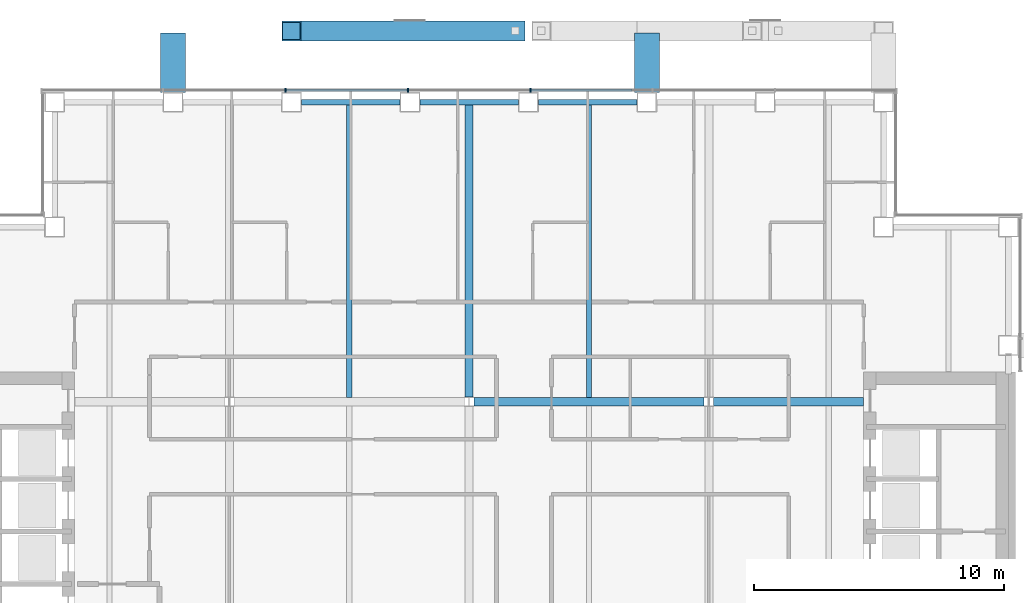
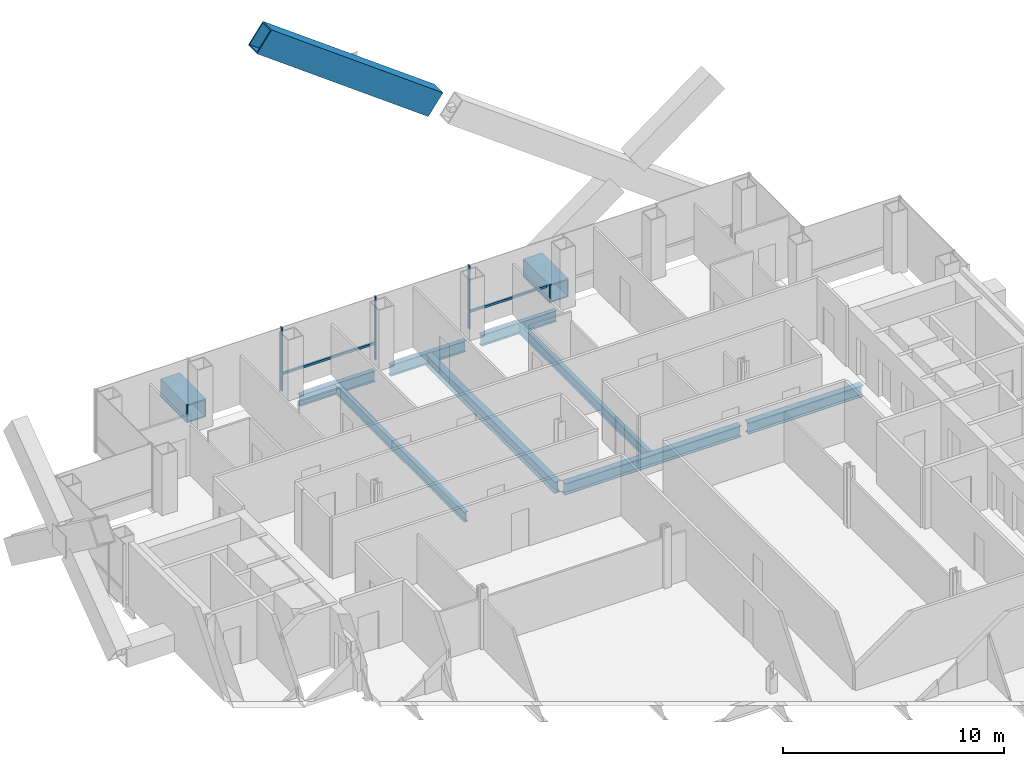
# One storey, part 9 of 18: 10 beams, 6 members, 1 element without a shape of its own.
"""IFC4 building model written with IfcOpenShell, lengths in metres."""

from ifc_helpers import new_model, si_unit, direction, frame, origin, origin_2d, place, context, subcontext, project, spatial, rectangle, hollow_rectangle, i_section, extrude, material, material_profile, profile_set, type_object, element, aggregate, save


model = new_model("IFC4")

# Units and contexts
model_context = context("Model", 3, precision=1e-05, world=origin(), true_north=direction((0.0, 1.0)))
body_context = subcontext(model_context, "Body", "Model", "MODEL_VIEW")
ifc_project = project(units=[si_unit("LENGTHUNIT", "METRE"), si_unit("AREAUNIT", "SQUARE_METRE"), si_unit("VOLUMEUNIT", "CUBIC_METRE"), si_unit("PLANEANGLEUNIT", "RADIAN"), si_unit("MASSUNIT", "GRAM", prefix="KILO")], contexts=[model_context])

# Site, building, storey
site_placement = place(None, origin())
site = spatial("IfcSite", under=ifc_project, at=site_placement, CompositionType="ELEMENT")
building_placement = place(site_placement, origin())
building = spatial("IfcBuilding", under=site, at=building_placement, Name="Cobrizo Arcos Hotel Tower", CompositionType="ELEMENT")
storey_placement = place(building_placement, frame((0.0, 0.0, 165.5)))
storey = spatial("IfcBuildingStorey", under=building, at=storey_placement, Name="L42", CompositionType="ELEMENT", Elevation=165.5)

# Beams
ifc_material_1 = material(Name="Steel ASTM A572 Grade 50", Category="steel")
ifc_material_profile_1 = material_profile(ifc_material_1, hollow_rectangle(XDim=1.0, YDim=1.0, WallThickness=0.06005859375, at=origin_2d()), Name="BOX 1000X1000X60")
ifc_profile_set_1 = profile_set([ifc_material_profile_1], Name="Steel ASTM A572 Grade 50")
beam_type_1 = type_object("IfcBeamType", Name="BOX 1000X1000X60 brace connector strut", PredefinedType="BEAM", material=ifc_profile_set_1)
for number, where, z_axis, x_axis, name in (
    (1, (-11.857177734375, 21.989990234375, 0.5), (0.0, 1.0, 0.0), (-1.0, 0.0, 0.0), "Perimeter brace stub BS1, zone Z3, north face, offset -11.86 m, L42"),
    (2, (7.1142578125, 21.989990234375, 0.5), (0.0, 1.0, 0.0), (-1.0, 0.0, 0.0), "Perimeter brace stub BS1, zone Z3, north face, offset +7.11 m, L42"),
):
    element("IfcBeam", number, at=place(storey_placement, frame(where, z_axis=z_axis, x_axis=x_axis)), inside=storey, type_object=beam_type_1, Name=name, PredefinedType="BEAM", context=body_context, shape_type="SweptSolid", body=[
        extrude(hollow_rectangle(XDim=1.0, YDim=1.0, WallThickness=0.06005859375, at=origin_2d()), origin(), (0.0, 0.0, 1.0), 2.380126953125),
    ])

# Member
ifc_material_profile_2 = material_profile(ifc_material_1, hollow_rectangle(XDim=0.800048828125, YDim=1.300048828125, WallThickness=0.06005859375, at=origin_2d()), Name="BOX 800X1300X60")
ifc_profile_set_2 = profile_set([ifc_material_profile_2], Name="Steel ASTM A572 Grade 50")
member_type_1 = type_object("IfcMemberType", Name="BOX 800X1300X60 perimeter brace", PredefinedType="BRACE", material=ifc_profile_set_2)
member_1_placement = place(storey_placement, frame((1.84814453125, 24.449951171875, 11.385986328125), z_axis=(-0.804620954099, 0.0, 0.593788784186), x_axis=(0.0, -1.0, 0.0)))
element("IfcMember", 3, at=member_1_placement, inside=storey, type_object=member_type_1, Name="Perimeter brace PBR3, zone Z3, north face, no. 10b", PredefinedType="BRACE", context=body_context, shape_type="SweptSolid", body=[
    extrude(hollow_rectangle(XDim=0.800048828125, YDim=1.300048828125, WallThickness=0.06005859375, at=origin_2d()), origin(), (0.0, 0.0, 1.0), 11.138671875),
])

# Curtain wall, members
ifc_material_2 = material(Name="Aluminium 6063-T6 anodised bronze", Category="aluminium")
curtain_wall_type = type_object("IfcCurtainWallType", Name="CW-A guest facade", PredefinedType="NOTDEFINED", material=ifc_material_2)
curtain_wall_placement = place(storey_placement, origin())
curtain_wall = element("IfcCurtainWall", 4, at=curtain_wall_placement, inside=storey, type_object=curtain_wall_type, Name="CW-A L42 N face", PredefinedType="NOTDEFINED")
ifc_material_profile_3 = material_profile(ifc_material_2, rectangle(XDim=0.14990234375, YDim=0.06005859375, at=origin_2d()), Name="CW-A mullion 150x60")
ifc_profile_set_3 = profile_set([ifc_material_profile_3], Name="Aluminium 6063-T6 anodised bronze")
member_type_2 = type_object("IfcMemberType", Name="CW-A mullion 150x60", PredefinedType="MULLION", material=ifc_profile_set_3)
member_2_placement = place(storey_placement, frame((2.449951171875, 22.074951171875, 0.0), z_axis=(0.0, 0.0, 1.0), x_axis=(0.0, 1.0, 0.0)))
member_2 = element("IfcMember", 5, at=member_2_placement, type_object=member_type_2, Name="CW-A mullion 4", PredefinedType="MULLION", context=body_context, shape_type="SweptSolid", body=[
    extrude(rectangle(XDim=0.14990234375, YDim=0.06005859375, at=origin_2d()), origin(), (0.0, 0.0, 1.0), 3.5),
])
member_3_placement = place(storey_placement, frame((-2.449951171875, 22.074951171875, 0.0), z_axis=(0.0, 0.0, 1.0), x_axis=(0.0, 1.0, 0.0)))
member_3 = element("IfcMember", 6, at=member_3_placement, type_object=member_type_2, Name="CW-A mullion 5", PredefinedType="MULLION", context=body_context, shape_type="SweptSolid", body=[
    extrude(rectangle(XDim=0.14990234375, YDim=0.06005859375, at=origin_2d()), origin(), (0.0, 0.0, 1.0), 3.5),
])
member_4_placement = place(storey_placement, frame((-7.35009765625, 22.074951171875, 0.0), z_axis=(0.0, 0.0, 1.0), x_axis=(0.0, 1.0, 0.0)))
member_4 = element("IfcMember", 7, at=member_4_placement, type_object=member_type_2, Name="CW-A mullion 6", PredefinedType="MULLION", context=body_context, shape_type="SweptSolid", body=[
    extrude(rectangle(XDim=0.14990234375, YDim=0.06005859375, at=origin_2d()), origin(), (0.0, 0.0, 1.0), 3.5),
])
ifc_material_profile_4 = material_profile(ifc_material_2, rectangle(XDim=0.10009765625, YDim=0.1201171875, at=origin_2d()), Name="CW-A transom 120x100")
ifc_profile_set_4 = profile_set([ifc_material_profile_4], Name="Aluminium 6063-T6 anodised bronze")
member_type_3 = type_object("IfcMemberType", Name="CW-A transom 120x100", PredefinedType="USERDEFINED", material=ifc_profile_set_4)
member_5_placement = place(storey_placement, frame((6.514404296875, 22.074951171875, 0.929931640625), z_axis=(-1.0, 0.0, 0.0), x_axis=(0.0, -1.0, 0.0)))
member_5 = element("IfcMember", 8, at=member_5_placement, type_object=member_type_3, Name="CW-A transom 1503", ObjectType="TRANSOM", PredefinedType="USERDEFINED", context=body_context, shape_type="SweptSolid", body=[
    extrude(rectangle(XDim=0.10009765625, YDim=0.1201171875, at=origin_2d()), origin(), (0.0, 0.0, 1.0), 4.034423828125),
])
member_6_placement = place(storey_placement, frame((-2.47998046875, 22.074951171875, 0.929931640625), z_axis=(-1.0, 0.0, 0.0), x_axis=(0.0, -1.0, 0.0)))
member_6 = element("IfcMember", 9, at=member_6_placement, type_object=member_type_3, Name="CW-A transom 1505", ObjectType="TRANSOM", PredefinedType="USERDEFINED", context=body_context, shape_type="SweptSolid", body=[
    extrude(rectangle(XDim=0.10009765625, YDim=0.1201171875, at=origin_2d()), origin(), (0.0, 0.0, 1.0), 4.840087890625),
])
aggregate(curtain_wall, [member_2, member_3, member_4, member_5, member_6])

# Beams
ifc_material_3 = material(Name="Steel ASTM A992 Grade 50", Category="steel")
ifc_material_profile_5 = material_profile(ifc_material_3, i_section(OverallWidth=0.209228515625, OverallDepth=0.533447265625, WebThickness=0.01025390625, FlangeThickness=0.015625, at=origin_2d()), Name="W21X62")
ifc_profile_set_5 = profile_set([ifc_material_profile_5], Name="Steel ASTM A992 Grade 50")
beam_type_2 = type_object("IfcBeamType", Name="W21X62 joist", PredefinedType="JOIST", material=ifc_profile_set_5)
for number, where, z_axis, x_axis, name in (
    (10, (-4.800048828125, 9.763916015625, -0.416748046875), (0.0, 1.0, 0.0), (-1.0, 0.0, 0.0), "Floor joist J1, L42, no. 010"),
    (11, (4.800048828125, 9.763916015625, -0.416748046875), (0.0, 1.0, 0.0), (-1.0, 0.0, 0.0), "Floor joist J1, L42, no. 014"),
):
    element("IfcBeam", number, at=place(storey_placement, frame(where, z_axis=z_axis, x_axis=x_axis)), inside=storey, type_object=beam_type_2, Name=name, PredefinedType="JOIST", context=body_context, shape_type="SweptSolid", body=[
        extrude(i_section(OverallWidth=0.209228515625, OverallDepth=0.533447265625, WebThickness=0.01025390625, FlangeThickness=0.015625, at=origin_2d()), origin(), (0.0, 0.0, 1.0), 11.74609375),
    ])
ifc_material_profile_6 = material_profile(ifc_material_3, i_section(OverallWidth=0.32763671875, OverallDepth=0.622314453125, WebThickness=0.015380859375, FlangeThickness=0.0244140625, at=origin_2d()), Name="W24X131")
ifc_profile_set_6 = profile_set([ifc_material_profile_6], Name="Steel ASTM A992 Grade 50")
beam_type_3 = type_object("IfcBeamType", Name="W24X131 girder", PredefinedType="BEAM", material=ifc_profile_set_6)
beam_1_placement = place(storey_placement, frame((0.186767578125, 9.60009765625, -0.461181640625), z_axis=(1.0, 0.0, 0.0), x_axis=(0.0, 1.0, 0.0)))
element("IfcBeam", 12, at=beam_1_placement, inside=storey, type_object=beam_type_3, Name="Floor girder G1, L42, no. 011", PredefinedType="BEAM", context=body_context, shape_type="SweptSolid", body=[
    extrude(i_section(OverallWidth=0.32763671875, OverallDepth=0.622314453125, WebThickness=0.015380859375, FlangeThickness=0.0244140625, at=origin_2d()), origin(), (0.0, 0.0, 1.0), 9.2265625),
])
beam_2_placement = place(storey_placement, frame((9.78662109375, 9.60009765625, -0.461181640625), z_axis=(1.0, 0.0, 0.0), x_axis=(0.0, 1.0, 0.0)))
element("IfcBeam", 13, at=beam_2_placement, inside=storey, type_object=beam_type_3, Name="Floor girder G1, L42, no. 012", PredefinedType="BEAM", context=body_context, shape_type="SweptSolid", body=[
    extrude(i_section(OverallWidth=0.32763671875, OverallDepth=0.622314453125, WebThickness=0.015380859375, FlangeThickness=0.0244140625, at=origin_2d()), origin(), (0.0, 0.0, 1.0), 6.00341796875),
])
beam_3_placement = place(storey_placement, frame((0.0, 9.78662109375, -0.461181640625), z_axis=(0.0, 1.0, 0.0), x_axis=(-1.0, 0.0, 0.0)))
element("IfcBeam", 14, at=beam_3_placement, inside=storey, type_object=beam_type_3, Name="Floor girder G1, L42, no. 020", PredefinedType="BEAM", context=body_context, shape_type="SweptSolid", body=[
    extrude(i_section(OverallWidth=0.32763671875, OverallDepth=0.622314453125, WebThickness=0.015380859375, FlangeThickness=0.0244140625, at=origin_2d()), origin(), (0.0, 0.0, 1.0), 11.723388671875),
])
ifc_material_profile_7 = material_profile(ifc_material_3, i_section(OverallWidth=0.228271484375, OverallDepth=0.607177734375, WebThickness=0.01123046875, FlangeThickness=0.017333984375, at=origin_2d()), Name="W24X76")
ifc_profile_set_7 = profile_set([ifc_material_profile_7], Name="Steel ASTM A992 Grade 50")
beam_type_4 = type_object("IfcBeamType", Name="W24X76 spandrel", PredefinedType="SPANDREL", material=ifc_profile_set_7)
beam_4_placement = place(storey_placement, frame((6.714111328125, 21.60009765625, -0.45361328125), z_axis=(-1.0, 0.0, 0.0), x_axis=(0.0, -1.0, 0.0)))
element("IfcBeam", 15, at=beam_4_placement, inside=storey, type_object=beam_type_4, Name="Spandrel beam W24X76, L42, no. 018", PredefinedType="SPANDREL", context=body_context, shape_type="SweptSolid", body=[
    extrude(i_section(OverallWidth=0.228271484375, OverallDepth=0.607177734375, WebThickness=0.01123046875, FlangeThickness=0.017333984375, at=origin_2d()), origin(), (0.0, 0.0, 1.0), 3.943115234375),
])
beam_5_placement = place(storey_placement, frame((1.970947265625, 21.60009765625, -0.45361328125), z_axis=(-1.0, 0.0, 0.0), x_axis=(0.0, -1.0, 0.0)))
element("IfcBeam", 16, at=beam_5_placement, inside=storey, type_object=beam_type_4, Name="Spandrel beam W24X76, L42, no. 019", PredefinedType="SPANDREL", context=body_context, shape_type="SweptSolid", body=[
    extrude(i_section(OverallWidth=0.228271484375, OverallDepth=0.607177734375, WebThickness=0.01123046875, FlangeThickness=0.017333984375, at=origin_2d()), origin(), (0.0, 0.0, 1.0), 3.94189453125),
])
beam_6_placement = place(storey_placement, frame((-2.77099609375, 21.60009765625, -0.45361328125), z_axis=(-1.0, 0.0, 0.0), x_axis=(0.0, -1.0, 0.0)))
element("IfcBeam", 17, at=beam_6_placement, inside=storey, type_object=beam_type_4, Name="Spandrel beam W24X76, L42, no. 020", PredefinedType="SPANDREL", context=body_context, shape_type="SweptSolid", body=[
    extrude(i_section(OverallWidth=0.228271484375, OverallDepth=0.607177734375, WebThickness=0.01123046875, FlangeThickness=0.017333984375, at=origin_2d()), origin(), (0.0, 0.0, 1.0), 3.943115234375),
])

save(model, "model.ifc")
